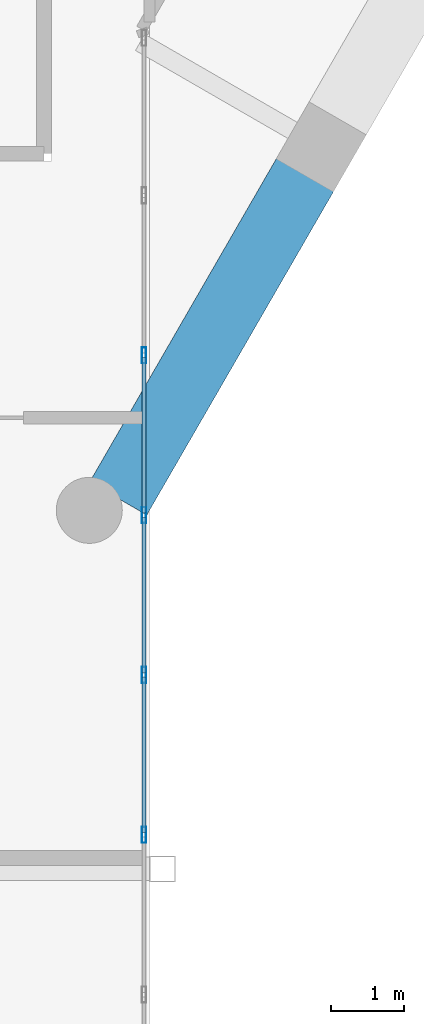
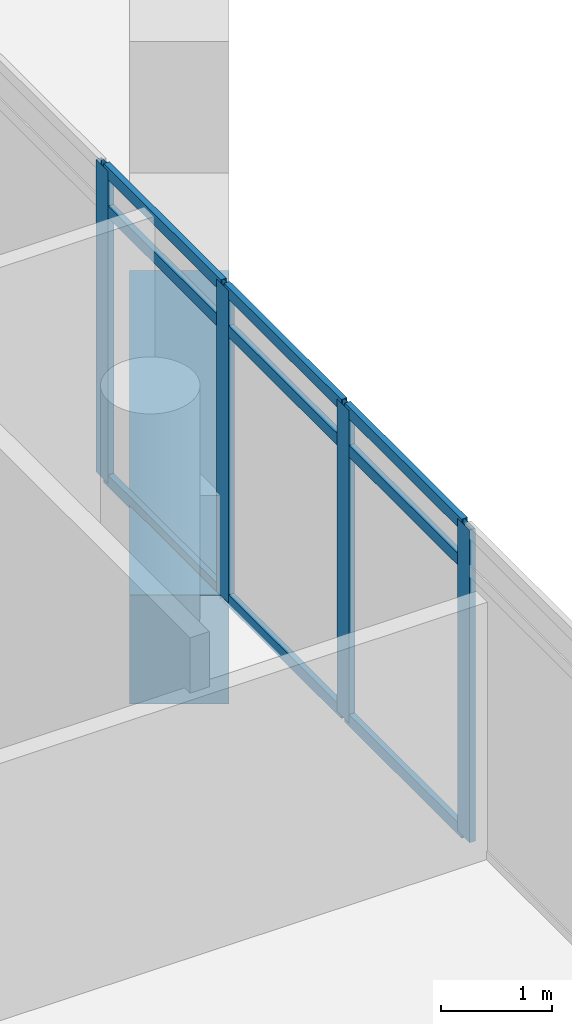
# One storey, part 8 of 25: 13 members, 1 beam, 1 element without a shape of its own.
"""IFC4 building model written with IfcOpenShell, lengths in metres."""

from ifc_helpers import new_model, si_unit, direction, frame, origin, origin_2d, place, context, subcontext, project, spatial, rectangle, hollow_rectangle, extrude, material, material_profile, profile_set, type_object, element, aggregate, save


model = new_model("IFC4")

# Units and contexts
model_context = context("Model", 3, precision=1e-05, world=origin(), true_north=direction((0.0, 1.0)))
body_context = subcontext(model_context, "Body", "Model", "MODEL_VIEW")
ifc_project = project(units=[si_unit("LENGTHUNIT", "METRE"), si_unit("AREAUNIT", "SQUARE_METRE"), si_unit("VOLUMEUNIT", "CUBIC_METRE"), si_unit("PLANEANGLEUNIT", "RADIAN"), si_unit("MASSUNIT", "GRAM", prefix="KILO")], contexts=[model_context])

# Site, building, storey
site_placement = place(None, origin())
site = spatial("IfcSite", under=ifc_project, at=site_placement, CompositionType="ELEMENT")
building_placement = place(site_placement, origin())
building = spatial("IfcBuilding", under=site, at=building_placement, Name="Ostrander Bayou Hotel Tower", CompositionType="ELEMENT")
storey_placement = place(building_placement, frame((0.0, 0.0, 229.5)))
storey = spatial("IfcBuildingStorey", under=building, at=storey_placement, Name="L57", CompositionType="ELEMENT", Elevation=229.5)

# Curtain wall, members
ifc_material_1 = material(Name="Aluminium and clear glass", Category="aluminium")
curtain_wall_type = type_object("IfcCurtainWallType", Name="CW-BAR glazed wall", PredefinedType="NOTDEFINED", material=ifc_material_1)
curtain_wall_placement = place(storey_placement, origin())
curtain_wall = element("IfcCurtainWall", 1, at=curtain_wall_placement, inside=storey, type_object=curtain_wall_type, Name="CW-BAR L57:SB5S:W", PredefinedType="NOTDEFINED")
ifc_material_2 = material(Name="Aluminium", Category="aluminium")
ifc_material_profile_1 = material_profile(ifc_material_2, hollow_rectangle(XDim=0.06005859375, YDim=0.219970703125, WallThickness=0.00390625, at=origin_2d()))
ifc_profile_set_1 = profile_set([ifc_material_profile_1], Name="Aluminium")
member_type_1 = type_object("IfcMemberType", Name="CW-BR mullion 60 x 220 mm", PredefinedType="MULLION", material=ifc_profile_set_1)
member_1_placement = place(storey_placement, frame((10.51220703125, -14.14892578125, 0.0), z_axis=(0.0, 0.0, 1.0), x_axis=(1.0, 0.0, 0.0)))
member_1 = element("IfcMember", 2, at=member_1_placement, type_object=member_type_1, Name="CW-BAR mullion 3", PredefinedType="MULLION", context=body_context, shape_type="SweptSolid", body=[
    extrude(hollow_rectangle(XDim=0.06005859375, YDim=0.219970703125, WallThickness=0.00390625, at=origin_2d()), origin(), (0.0, 0.0, 1.0), 3.449951171875),
])
member_2_placement = place(storey_placement, frame((10.51220703125, -16.3271484375, 0.0), z_axis=(0.0, 0.0, 1.0), x_axis=(1.0, 0.0, 0.0)))
member_2 = element("IfcMember", 3, at=member_2_placement, type_object=member_type_1, Name="CW-BAR mullion 4", PredefinedType="MULLION", context=body_context, shape_type="SweptSolid", body=[
    extrude(hollow_rectangle(XDim=0.06005859375, YDim=0.219970703125, WallThickness=0.00390625, at=origin_2d()), origin(), (0.0, 0.0, 1.0), 3.449951171875),
])
member_3_placement = place(storey_placement, frame((10.51220703125, -18.505615234375, 0.0), z_axis=(0.0, 0.0, 1.0), x_axis=(1.0, 0.0, 0.0)))
member_3 = element("IfcMember", 4, at=member_3_placement, type_object=member_type_1, Name="CW-BAR mullion 5", PredefinedType="MULLION", context=body_context, shape_type="SweptSolid", body=[
    extrude(hollow_rectangle(XDim=0.06005859375, YDim=0.219970703125, WallThickness=0.00390625, at=origin_2d()), origin(), (0.0, 0.0, 1.0), 3.449951171875),
])
member_4_placement = place(storey_placement, frame((10.51220703125, -20.683837890625, 0.0), z_axis=(0.0, 0.0, 1.0), x_axis=(1.0, 0.0, 0.0)))
member_4 = element("IfcMember", 5, at=member_4_placement, type_object=member_type_1, Name="CW-BAR mullion 6", PredefinedType="MULLION", context=body_context, shape_type="SweptSolid", body=[
    extrude(hollow_rectangle(XDim=0.06005859375, YDim=0.219970703125, WallThickness=0.00390625, at=origin_2d()), origin(), (0.0, 0.0, 1.0), 3.449951171875),
])
ifc_material_3 = material(Name="Aluminium", Category="aluminium")
ifc_material_profile_2 = material_profile(ifc_material_3, hollow_rectangle(XDim=0.06005859375, YDim=0.1298828125, WallThickness=0.00390625, at=origin_2d()))
ifc_profile_set_2 = profile_set([ifc_material_profile_2], Name="Aluminium")
member_type_2 = type_object("IfcMemberType", Name="CW-BR transom 60 x 130 mm", PredefinedType="USERDEFINED", material=ifc_profile_set_2)
member_5_placement = place(storey_placement, frame((10.51220703125, -14.178955078125, 0.030029296875), z_axis=(0.0, -1.0, 0.0), x_axis=(1.0, 0.0, 0.0)))
member_5 = element("IfcMember", 6, at=member_5_placement, type_object=member_type_2, Name="CW-BAR transom 3.1", ObjectType="TRANSOM", PredefinedType="USERDEFINED", context=body_context, shape_type="SweptSolid", body=[
    extrude(hollow_rectangle(XDim=0.06005859375, YDim=0.1298828125, WallThickness=0.00390625, at=origin_2d()), origin(), (0.0, 0.0, 1.0), 2.118408203125),
])
member_6_placement = place(storey_placement, frame((10.51220703125, -14.178955078125, 3.0), z_axis=(0.0, -1.0, 0.0), x_axis=(1.0, 0.0, 0.0)))
member_6 = element("IfcMember", 7, at=member_6_placement, type_object=member_type_2, Name="CW-BAR transom 3.2", ObjectType="TRANSOM", PredefinedType="USERDEFINED", context=body_context, shape_type="SweptSolid", body=[
    extrude(hollow_rectangle(XDim=0.06005859375, YDim=0.1298828125, WallThickness=0.00390625, at=origin_2d()), origin(), (0.0, 0.0, 1.0), 2.118408203125),
])
member_7_placement = place(storey_placement, frame((10.51220703125, -14.178955078125, 3.419921875), z_axis=(0.0, -1.0, 0.0), x_axis=(1.0, 0.0, 0.0)))
member_7 = element("IfcMember", 8, at=member_7_placement, type_object=member_type_2, Name="CW-BAR transom 3.3", ObjectType="TRANSOM", PredefinedType="USERDEFINED", context=body_context, shape_type="SweptSolid", body=[
    extrude(hollow_rectangle(XDim=0.06005859375, YDim=0.1298828125, WallThickness=0.00390625, at=origin_2d()), origin(), (0.0, 0.0, 1.0), 2.118408203125),
])
member_8_placement = place(storey_placement, frame((10.51220703125, -16.357177734375, 0.030029296875), z_axis=(0.0, -1.0, 0.0), x_axis=(1.0, 0.0, 0.0)))
member_8 = element("IfcMember", 9, at=member_8_placement, type_object=member_type_2, Name="CW-BAR transom 4.1", ObjectType="TRANSOM", PredefinedType="USERDEFINED", context=body_context, shape_type="SweptSolid", body=[
    extrude(hollow_rectangle(XDim=0.06005859375, YDim=0.1298828125, WallThickness=0.00390625, at=origin_2d()), origin(), (0.0, 0.0, 1.0), 2.118408203125),
])
member_9_placement = place(storey_placement, frame((10.51220703125, -16.357177734375, 3.0), z_axis=(0.0, -1.0, 0.0), x_axis=(1.0, 0.0, 0.0)))
member_9 = element("IfcMember", 10, at=member_9_placement, type_object=member_type_2, Name="CW-BAR transom 4.2", ObjectType="TRANSOM", PredefinedType="USERDEFINED", context=body_context, shape_type="SweptSolid", body=[
    extrude(hollow_rectangle(XDim=0.06005859375, YDim=0.1298828125, WallThickness=0.00390625, at=origin_2d()), origin(), (0.0, 0.0, 1.0), 2.118408203125),
])
member_10_placement = place(storey_placement, frame((10.51220703125, -16.357177734375, 3.419921875), z_axis=(0.0, -1.0, 0.0), x_axis=(1.0, 0.0, 0.0)))
member_10 = element("IfcMember", 11, at=member_10_placement, type_object=member_type_2, Name="CW-BAR transom 4.3", ObjectType="TRANSOM", PredefinedType="USERDEFINED", context=body_context, shape_type="SweptSolid", body=[
    extrude(hollow_rectangle(XDim=0.06005859375, YDim=0.1298828125, WallThickness=0.00390625, at=origin_2d()), origin(), (0.0, 0.0, 1.0), 2.118408203125),
])
member_11_placement = place(storey_placement, frame((10.51220703125, -18.53564453125, 0.030029296875), z_axis=(0.0, -1.0, 0.0), x_axis=(1.0, 0.0, 0.0)))
member_11 = element("IfcMember", 12, at=member_11_placement, type_object=member_type_2, Name="CW-BAR transom 5.1", ObjectType="TRANSOM", PredefinedType="USERDEFINED", context=body_context, shape_type="SweptSolid", body=[
    extrude(hollow_rectangle(XDim=0.06005859375, YDim=0.1298828125, WallThickness=0.00390625, at=origin_2d()), origin(), (0.0, 0.0, 1.0), 2.1181640625),
])
member_12_placement = place(storey_placement, frame((10.51220703125, -18.53564453125, 3.0), z_axis=(0.0, -1.0, 0.0), x_axis=(1.0, 0.0, 0.0)))
member_12 = element("IfcMember", 13, at=member_12_placement, type_object=member_type_2, Name="CW-BAR transom 5.2", ObjectType="TRANSOM", PredefinedType="USERDEFINED", context=body_context, shape_type="SweptSolid", body=[
    extrude(hollow_rectangle(XDim=0.06005859375, YDim=0.1298828125, WallThickness=0.00390625, at=origin_2d()), origin(), (0.0, 0.0, 1.0), 2.1181640625),
])
member_13_placement = place(storey_placement, frame((10.51220703125, -18.53564453125, 3.419921875), z_axis=(0.0, -1.0, 0.0), x_axis=(1.0, 0.0, 0.0)))
member_13 = element("IfcMember", 14, at=member_13_placement, type_object=member_type_2, Name="CW-BAR transom 5.3", ObjectType="TRANSOM", PredefinedType="USERDEFINED", context=body_context, shape_type="SweptSolid", body=[
    extrude(hollow_rectangle(XDim=0.06005859375, YDim=0.1298828125, WallThickness=0.00390625, at=origin_2d()), origin(), (0.0, 0.0, 1.0), 2.1181640625),
])
aggregate(curtain_wall, [member_1, member_2, member_3, member_4, member_5, member_6, member_7, member_8, member_9, member_10, member_11, member_12, member_13])

# Beam
ifc_material_4 = material(Name="Concrete f'c 60 MPa", Category="concrete")
ifc_material_profile_3 = material_profile(ifc_material_4, rectangle(XDim=0.89990234375, YDim=1.199951171875, at=origin_2d()))
ifc_profile_set_3 = profile_set([ifc_material_profile_3], Name="Concrete f'c 60 MPa")
beam_type = type_object("IfcBeamType", Name="SP4 spandrel beam 900 x 1200 mm f'c 60 MPa", PredefinedType="SPANDREL", material=ifc_profile_set_3)
beam_placement = place(storey_placement, frame((10.160888671875, -16.1005859375, -0.60009765625), z_axis=(0.500015879365, 0.866016235635, 0.0), x_axis=(-0.866016235635, 0.500015879365, 0.0)))
element("IfcBeam", 15, at=beam_placement, inside=storey, type_object=beam_type, Name="SP4 L57 SE-1", PredefinedType="SPANDREL", context=body_context, shape_type="SweptSolid", body=[
    extrude(rectangle(XDim=0.89990234375, YDim=1.199951171875, at=origin_2d()), origin(), (0.0, 0.0, 1.0), 5.113525390625),
])

save(model, "model.ifc")
